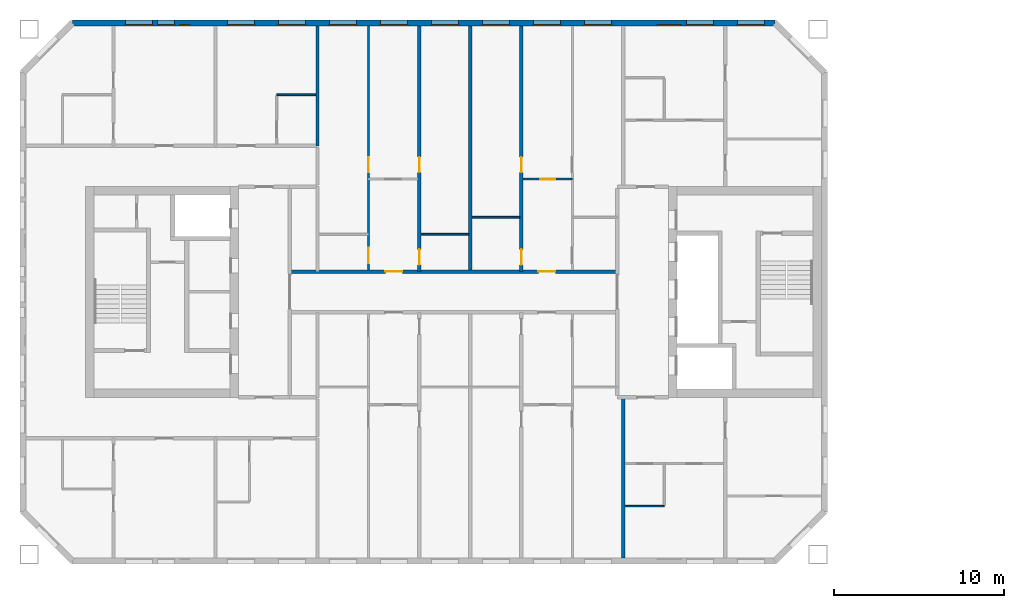
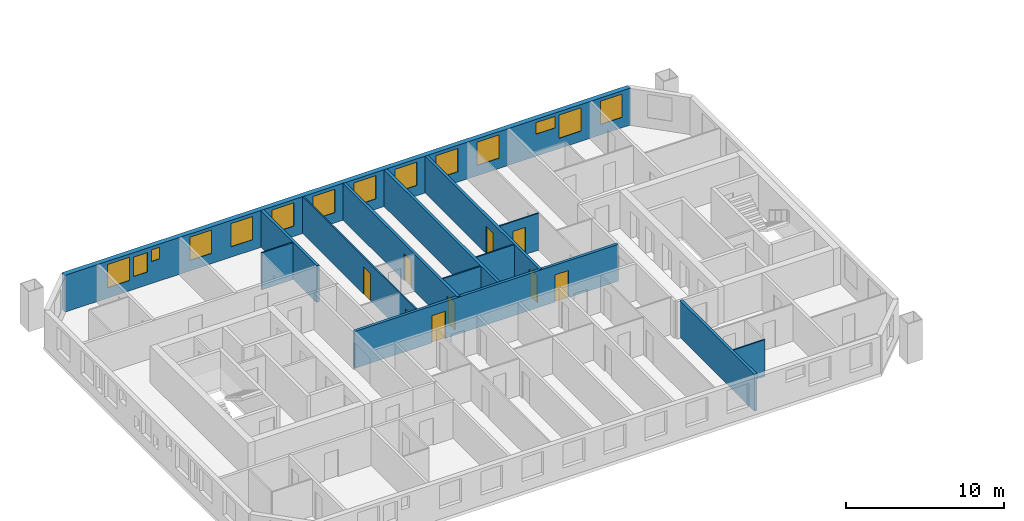
# One storey, part 5 of 15: 14 windows, 13 walls, 9 doors, 23 openings.
"""IFC4 building model written with IfcOpenShell, lengths in metres."""

from ifc_helpers import new_model, si_unit, direction, frame, frame_2d, origin, place, context, subcontext, project, spatial, rectangle, extrude, material, layer, layer_set, type_object, element, fill, save


model = new_model("IFC4")

# Units and contexts
model_context = context("Model", 3, precision=1e-05, world=origin(), true_north=direction((0.0, 1.0)))
body_context = subcontext(model_context, "Body", "Model", "MODEL_VIEW")
ifc_project = project(units=[si_unit("LENGTHUNIT", "METRE"), si_unit("AREAUNIT", "SQUARE_METRE"), si_unit("VOLUMEUNIT", "CUBIC_METRE"), si_unit("PLANEANGLEUNIT", "RADIAN"), si_unit("MASSUNIT", "GRAM", prefix="KILO")], contexts=[model_context])

# Site, building, storey
site_placement = place(None, origin())
site = spatial("IfcSite", under=ifc_project, at=site_placement, CompositionType="ELEMENT")
building_placement = place(site_placement, origin())
building = spatial("IfcBuilding", under=site, at=building_placement, Name="Tuart Gate Housing", CompositionType="ELEMENT")
storey_placement = place(building_placement, frame((0.0, 0.0, 154.699951171875)))
storey = spatial("IfcBuildingStorey", under=building, at=storey_placement, Name="L43", CompositionType="ELEMENT", Elevation=154.699951171875)

# Wall, openings, windows
ifc_material_1 = material(Name="Brick", Category="masonry")
ifc_layer_1 = layer(ifc_material_1, 0.360107421875)
ifc_layer_set_1 = layer_set([ifc_layer_1], Name="Brick pier and spandrel wall 360")
wall_type_1 = type_object("IfcWallType", Name="Brick pier and spandrel wall 360", PredefinedType="STANDARD", material=ifc_layer_set_1)
wall_1_placement = place(storey_placement, frame((72.92529296875, 85.820068359375, 0.0), z_axis=(0.0, 0.0, 1.0), x_axis=(-1.0, 0.0, 0.0)))
wall_1 = element("IfcWall", 1, at=wall_1_placement, inside=storey, type_object=wall_type_1, Name="External wall A-N L43", PredefinedType="STANDARD", context=body_context, shape_type="SweptSolid", body=[
    extrude(rectangle(XDim=41.350830078125, YDim=0.360107421875, at=frame_2d((20.67529296875, 0.0))), origin(), (0.0, 0.0, 1.0), 2.85009765625),
])
opening_1_placement = place(wall_1_placement, frame((0.62548828125, 0.0, 0.800048828125)))
opening_1 = element("IfcOpeningElement", 2, at=opening_1_placement, cuts=wall_1, Name="Opening W1", PredefinedType="OPENING", context=body_context, shape_type="SweptSolid", body=[
    extrude(rectangle(XDim=1.60009765625, YDim=1.800048828125, at=frame_2d((0.800048828125, 0.89990234375))), frame((0.0, 0.18994140625, 0.0), z_axis=(0.0, -1.0, 0.0), x_axis=(1.0, 0.0, 0.0)), (0.0, 0.0, 1.0), 0.380126953125),
])
opening_2_placement = place(wall_1_placement, frame((3.62548828125, 0.0, 0.800048828125)))
opening_2 = element("IfcOpeningElement", 3, at=opening_2_placement, cuts=wall_1, Name="Opening W1", PredefinedType="OPENING", context=body_context, shape_type="SweptSolid", body=[
    extrude(rectangle(XDim=1.60009765625, YDim=1.800048828125, at=frame_2d((0.800048828125, 0.89990234375))), frame((0.0, 0.18994140625, 0.0), z_axis=(0.0, -1.0, 0.0), x_axis=(1.0, 0.0, 0.0)), (0.0, 0.0, 1.0), 0.380126953125),
])
opening_3_placement = place(wall_1_placement, frame((5.525390625, 0.0, 1.699951171875)))
opening_3 = element("IfcOpeningElement", 4, at=opening_3_placement, cuts=wall_1, Name="Opening W1S", PredefinedType="OPENING", context=body_context, shape_type="SweptSolid", body=[
    extrude(rectangle(XDim=1.39990234375, YDim=0.89990234375, at=frame_2d((0.699951171875, 0.449951171875))), frame((0.0, 0.18994140625, 0.0), z_axis=(0.0, -1.0, 0.0), x_axis=(1.0, 0.0, 0.0)), (0.0, 0.0, 1.0), 0.380126953125),
])
opening_4_placement = place(wall_1_placement, frame((9.62548828125, 0.0, 0.800048828125)))
opening_4 = element("IfcOpeningElement", 5, at=opening_4_placement, cuts=wall_1, Name="Opening W1", PredefinedType="OPENING", context=body_context, shape_type="SweptSolid", body=[
    extrude(rectangle(XDim=1.60009765625, YDim=1.800048828125, at=frame_2d((0.800048828125, 0.89990234375))), frame((0.0, 0.18994140625, 0.0), z_axis=(0.0, -1.0, 0.0), x_axis=(1.0, 0.0, 0.0)), (0.0, 0.0, 1.0), 0.380126953125),
])
opening_5_placement = place(wall_1_placement, frame((12.62548828125, 0.0, 0.800048828125)))
opening_5 = element("IfcOpeningElement", 6, at=opening_5_placement, cuts=wall_1, Name="Opening W1", PredefinedType="OPENING", context=body_context, shape_type="SweptSolid", body=[
    extrude(rectangle(XDim=1.60009765625, YDim=1.800048828125, at=frame_2d((0.800048828125, 0.89990234375))), frame((0.0, 0.18994140625, 0.0), z_axis=(0.0, -1.0, 0.0), x_axis=(1.0, 0.0, 0.0)), (0.0, 0.0, 1.0), 0.380126953125),
])
opening_6_placement = place(wall_1_placement, frame((15.62548828125, 0.0, 0.800048828125)))
opening_6 = element("IfcOpeningElement", 7, at=opening_6_placement, cuts=wall_1, Name="Opening W1", PredefinedType="OPENING", context=body_context, shape_type="SweptSolid", body=[
    extrude(rectangle(XDim=1.60009765625, YDim=1.800048828125, at=frame_2d((0.800048828125, 0.89990234375))), frame((0.0, 0.18994140625, 0.0), z_axis=(0.0, -1.0, 0.0), x_axis=(1.0, 0.0, 0.0)), (0.0, 0.0, 1.0), 0.380126953125),
])
opening_7_placement = place(wall_1_placement, frame((18.62548828125, 0.0, 0.800048828125)))
opening_7 = element("IfcOpeningElement", 8, at=opening_7_placement, cuts=wall_1, Name="Opening W1", PredefinedType="OPENING", context=body_context, shape_type="SweptSolid", body=[
    extrude(rectangle(XDim=1.60009765625, YDim=1.800048828125, at=frame_2d((0.800048828125, 0.89990234375))), frame((0.0, 0.18994140625, 0.0), z_axis=(0.0, -1.0, 0.0), x_axis=(1.0, 0.0, 0.0)), (0.0, 0.0, 1.0), 0.380126953125),
])
opening_8_placement = place(wall_1_placement, frame((21.62548828125, 0.0, 0.800048828125)))
opening_8 = element("IfcOpeningElement", 9, at=opening_8_placement, cuts=wall_1, Name="Opening W1", PredefinedType="OPENING", context=body_context, shape_type="SweptSolid", body=[
    extrude(rectangle(XDim=1.60009765625, YDim=1.800048828125, at=frame_2d((0.800048828125, 0.89990234375))), frame((0.0, 0.18994140625, 0.0), z_axis=(0.0, -1.0, 0.0), x_axis=(1.0, 0.0, 0.0)), (0.0, 0.0, 1.0), 0.380126953125),
])
opening_9_placement = place(wall_1_placement, frame((24.62548828125, 0.0, 0.800048828125)))
opening_9 = element("IfcOpeningElement", 10, at=opening_9_placement, cuts=wall_1, Name="Opening W1", PredefinedType="OPENING", context=body_context, shape_type="SweptSolid", body=[
    extrude(rectangle(XDim=1.60009765625, YDim=1.800048828125, at=frame_2d((0.800048828125, 0.89990234375))), frame((0.0, 0.18994140625, 0.0), z_axis=(0.0, -1.0, 0.0), x_axis=(1.0, 0.0, 0.0)), (0.0, 0.0, 1.0), 0.380126953125),
])
opening_10_placement = place(wall_1_placement, frame((27.62548828125, 0.0, 0.800048828125)))
opening_10 = element("IfcOpeningElement", 11, at=opening_10_placement, cuts=wall_1, Name="Opening W1", PredefinedType="OPENING", context=body_context, shape_type="SweptSolid", body=[
    extrude(rectangle(XDim=1.60009765625, YDim=1.800048828125, at=frame_2d((0.800048828125, 0.89990234375))), frame((0.0, 0.18994140625, 0.0), z_axis=(0.0, -1.0, 0.0), x_axis=(1.0, 0.0, 0.0)), (0.0, 0.0, 1.0), 0.380126953125),
])
opening_11_placement = place(wall_1_placement, frame((30.62548828125, 0.0, 0.800048828125)))
opening_11 = element("IfcOpeningElement", 12, at=opening_11_placement, cuts=wall_1, Name="Opening W1", PredefinedType="OPENING", context=body_context, shape_type="SweptSolid", body=[
    extrude(rectangle(XDim=1.60009765625, YDim=1.800048828125, at=frame_2d((0.800048828125, 0.89990234375))), frame((0.0, 0.18994140625, 0.0), z_axis=(0.0, -1.0, 0.0), x_axis=(1.0, 0.0, 0.0)), (0.0, 0.0, 1.0), 0.380126953125),
])
opening_12_placement = place(wall_1_placement, frame((34.42529296875, 0.0, 1.699951171875)))
opening_12 = element("IfcOpeningElement", 13, at=opening_12_placement, cuts=wall_1, Name="Opening W1W", PredefinedType="OPENING", context=body_context, shape_type="SweptSolid", body=[
    extrude(rectangle(XDim=0.60009765625, YDim=0.89990234375, at=frame_2d((0.300048828125, 0.449951171875))), frame((0.0, 0.18994140625, 0.0), z_axis=(0.0, -1.0, 0.0), x_axis=(1.0, 0.0, 0.0)), (0.0, 0.0, 1.0), 0.380126953125),
])
opening_13_placement = place(wall_1_placement, frame((36.62548828125, 0.0, 0.800048828125)))
opening_13 = element("IfcOpeningElement", 14, at=opening_13_placement, cuts=wall_1, Name="Opening W1", PredefinedType="OPENING", context=body_context, shape_type="SweptSolid", body=[
    extrude(rectangle(XDim=1.60009765625, YDim=1.800048828125, at=frame_2d((0.800048828125, 0.89990234375))), frame((0.0, 0.18994140625, 0.0), z_axis=(0.0, -1.0, 0.0), x_axis=(1.0, 0.0, 0.0)), (0.0, 0.0, 1.0), 0.380126953125),
])
opening_14_placement = place(wall_1_placement, frame((35.325439453125, 0.0, 1.0)))
opening_14 = element("IfcOpeningElement", 15, at=opening_14_placement, cuts=wall_1, Name="Opening W1I", PredefinedType="OPENING", context=body_context, shape_type="SweptSolid", body=[
    extrude(rectangle(XDim=1.0, YDim=1.5, at=frame_2d((0.5, 0.75))), frame((0.0, 0.18994140625, 0.0), z_axis=(0.0, -1.0, 0.0), x_axis=(1.0, 0.0, 0.0)), (0.0, 0.0, 1.0), 0.380126953125),
])
ifc_material_2 = material(Name="Aluminium frame with clear glass", Category="aluminium")
window_type_1 = type_object("IfcWindowType", Name="Punched window 1000 x 1500", PartitioningType="SINGLE_PANEL", PredefinedType="WINDOW", material=ifc_material_2)
window_1_placement = place(opening_14_placement, origin())
window_1 = element("IfcWindow", 16, at=window_1_placement, inside=storey, type_object=window_type_1, Name="Window W1I", OverallHeight=1.5, OverallWidth=1.0, PartitioningType="SINGLE_PANEL", PredefinedType="WINDOW", context=body_context, shape_type="SweptSolid", body=[
    extrude(rectangle(XDim=1.0, YDim=1.5, at=frame_2d((0.5, 0.75))), frame((0.0, 0.150146484375, 0.0), z_axis=(0.0, -1.0, 0.0), x_axis=(1.0, 0.0, 0.0)), (0.0, 0.0, 1.0), 0.06005859375),
])
fill(opening_14, window_1)
ifc_material_3 = material(Name="Aluminium frame with clear glass", Category="aluminium")
window_type_2 = type_object("IfcWindowType", Name="Punched window 1400 x 900", PartitioningType="SINGLE_PANEL", PredefinedType="WINDOW", material=ifc_material_3)
window_2_placement = place(opening_3_placement, origin())
window_2 = element("IfcWindow", 17, at=window_2_placement, inside=storey, type_object=window_type_2, Name="Window W1S", OverallHeight=0.89990234375, OverallWidth=1.39990234375, PartitioningType="SINGLE_PANEL", PredefinedType="WINDOW", context=body_context, shape_type="SweptSolid", body=[
    extrude(rectangle(XDim=1.39990234375, YDim=0.89990234375, at=frame_2d((0.699951171875, 0.449951171875))), frame((0.0, 0.150146484375, 0.0), z_axis=(0.0, -1.0, 0.0), x_axis=(1.0, 0.0, 0.0)), (0.0, 0.0, 1.0), 0.06005859375),
])
fill(opening_3, window_2)
ifc_material_4 = material(Name="Aluminium frame with clear glass", Category="aluminium")
window_type_3 = type_object("IfcWindowType", Name="Punched window 1600 x 1800", PartitioningType="SINGLE_PANEL", PredefinedType="WINDOW", material=ifc_material_4)
window_3_placement = place(opening_1_placement, origin())
window_3 = element("IfcWindow", 18, at=window_3_placement, inside=storey, type_object=window_type_3, Name="Window W1", OverallHeight=1.800048828125, OverallWidth=1.60009765625, PartitioningType="SINGLE_PANEL", PredefinedType="WINDOW", context=body_context, shape_type="SweptSolid", body=[
    extrude(rectangle(XDim=1.60009765625, YDim=1.800048828125, at=frame_2d((0.800048828125, 0.89990234375))), frame((0.0, 0.150146484375, 0.0), z_axis=(0.0, -1.0, 0.0), x_axis=(1.0, 0.0, 0.0)), (0.0, 0.0, 1.0), 0.06005859375),
])
fill(opening_1, window_3)
window_4_placement = place(opening_2_placement, origin())
window_4 = element("IfcWindow", 19, at=window_4_placement, inside=storey, type_object=window_type_3, Name="Window W1", OverallHeight=1.800048828125, OverallWidth=1.60009765625, PartitioningType="SINGLE_PANEL", PredefinedType="WINDOW", context=body_context, shape_type="SweptSolid", body=[
    extrude(rectangle(XDim=1.60009765625, YDim=1.800048828125, at=frame_2d((0.800048828125, 0.89990234375))), frame((0.0, 0.150146484375, 0.0), z_axis=(0.0, -1.0, 0.0), x_axis=(1.0, 0.0, 0.0)), (0.0, 0.0, 1.0), 0.06005859375),
])
fill(opening_2, window_4)
window_5_placement = place(opening_4_placement, origin())
window_5 = element("IfcWindow", 20, at=window_5_placement, inside=storey, type_object=window_type_3, Name="Window W1", OverallHeight=1.800048828125, OverallWidth=1.60009765625, PartitioningType="SINGLE_PANEL", PredefinedType="WINDOW", context=body_context, shape_type="SweptSolid", body=[
    extrude(rectangle(XDim=1.60009765625, YDim=1.800048828125, at=frame_2d((0.800048828125, 0.89990234375))), frame((0.0, 0.150146484375, 0.0), z_axis=(0.0, -1.0, 0.0), x_axis=(1.0, 0.0, 0.0)), (0.0, 0.0, 1.0), 0.06005859375),
])
fill(opening_4, window_5)
window_6_placement = place(opening_5_placement, origin())
window_6 = element("IfcWindow", 21, at=window_6_placement, inside=storey, type_object=window_type_3, Name="Window W1", OverallHeight=1.800048828125, OverallWidth=1.60009765625, PartitioningType="SINGLE_PANEL", PredefinedType="WINDOW", context=body_context, shape_type="SweptSolid", body=[
    extrude(rectangle(XDim=1.60009765625, YDim=1.800048828125, at=frame_2d((0.800048828125, 0.89990234375))), frame((0.0, 0.150146484375, 0.0), z_axis=(0.0, -1.0, 0.0), x_axis=(1.0, 0.0, 0.0)), (0.0, 0.0, 1.0), 0.06005859375),
])
fill(opening_5, window_6)
window_7_placement = place(opening_6_placement, origin())
window_7 = element("IfcWindow", 22, at=window_7_placement, inside=storey, type_object=window_type_3, Name="Window W1", OverallHeight=1.800048828125, OverallWidth=1.60009765625, PartitioningType="SINGLE_PANEL", PredefinedType="WINDOW", context=body_context, shape_type="SweptSolid", body=[
    extrude(rectangle(XDim=1.60009765625, YDim=1.800048828125, at=frame_2d((0.800048828125, 0.89990234375))), frame((0.0, 0.150146484375, 0.0), z_axis=(0.0, -1.0, 0.0), x_axis=(1.0, 0.0, 0.0)), (0.0, 0.0, 1.0), 0.06005859375),
])
fill(opening_6, window_7)
window_8_placement = place(opening_7_placement, origin())
window_8 = element("IfcWindow", 23, at=window_8_placement, inside=storey, type_object=window_type_3, Name="Window W1", OverallHeight=1.800048828125, OverallWidth=1.60009765625, PartitioningType="SINGLE_PANEL", PredefinedType="WINDOW", context=body_context, shape_type="SweptSolid", body=[
    extrude(rectangle(XDim=1.60009765625, YDim=1.800048828125, at=frame_2d((0.800048828125, 0.89990234375))), frame((0.0, 0.150146484375, 0.0), z_axis=(0.0, -1.0, 0.0), x_axis=(1.0, 0.0, 0.0)), (0.0, 0.0, 1.0), 0.06005859375),
])
fill(opening_7, window_8)
window_9_placement = place(opening_8_placement, origin())
window_9 = element("IfcWindow", 24, at=window_9_placement, inside=storey, type_object=window_type_3, Name="Window W1", OverallHeight=1.800048828125, OverallWidth=1.60009765625, PartitioningType="SINGLE_PANEL", PredefinedType="WINDOW", context=body_context, shape_type="SweptSolid", body=[
    extrude(rectangle(XDim=1.60009765625, YDim=1.800048828125, at=frame_2d((0.800048828125, 0.89990234375))), frame((0.0, 0.150146484375, 0.0), z_axis=(0.0, -1.0, 0.0), x_axis=(1.0, 0.0, 0.0)), (0.0, 0.0, 1.0), 0.06005859375),
])
fill(opening_8, window_9)
window_10_placement = place(opening_9_placement, origin())
window_10 = element("IfcWindow", 25, at=window_10_placement, inside=storey, type_object=window_type_3, Name="Window W1", OverallHeight=1.800048828125, OverallWidth=1.60009765625, PartitioningType="SINGLE_PANEL", PredefinedType="WINDOW", context=body_context, shape_type="SweptSolid", body=[
    extrude(rectangle(XDim=1.60009765625, YDim=1.800048828125, at=frame_2d((0.800048828125, 0.89990234375))), frame((0.0, 0.150146484375, 0.0), z_axis=(0.0, -1.0, 0.0), x_axis=(1.0, 0.0, 0.0)), (0.0, 0.0, 1.0), 0.06005859375),
])
fill(opening_9, window_10)
window_11_placement = place(opening_10_placement, origin())
window_11 = element("IfcWindow", 26, at=window_11_placement, inside=storey, type_object=window_type_3, Name="Window W1", OverallHeight=1.800048828125, OverallWidth=1.60009765625, PartitioningType="SINGLE_PANEL", PredefinedType="WINDOW", context=body_context, shape_type="SweptSolid", body=[
    extrude(rectangle(XDim=1.60009765625, YDim=1.800048828125, at=frame_2d((0.800048828125, 0.89990234375))), frame((0.0, 0.150146484375, 0.0), z_axis=(0.0, -1.0, 0.0), x_axis=(1.0, 0.0, 0.0)), (0.0, 0.0, 1.0), 0.06005859375),
])
fill(opening_10, window_11)
window_12_placement = place(opening_11_placement, origin())
window_12 = element("IfcWindow", 27, at=window_12_placement, inside=storey, type_object=window_type_3, Name="Window W1", OverallHeight=1.800048828125, OverallWidth=1.60009765625, PartitioningType="SINGLE_PANEL", PredefinedType="WINDOW", context=body_context, shape_type="SweptSolid", body=[
    extrude(rectangle(XDim=1.60009765625, YDim=1.800048828125, at=frame_2d((0.800048828125, 0.89990234375))), frame((0.0, 0.150146484375, 0.0), z_axis=(0.0, -1.0, 0.0), x_axis=(1.0, 0.0, 0.0)), (0.0, 0.0, 1.0), 0.06005859375),
])
fill(opening_11, window_12)
window_13_placement = place(opening_13_placement, origin())
window_13 = element("IfcWindow", 28, at=window_13_placement, inside=storey, type_object=window_type_3, Name="Window W1", OverallHeight=1.800048828125, OverallWidth=1.60009765625, PartitioningType="SINGLE_PANEL", PredefinedType="WINDOW", context=body_context, shape_type="SweptSolid", body=[
    extrude(rectangle(XDim=1.60009765625, YDim=1.800048828125, at=frame_2d((0.800048828125, 0.89990234375))), frame((0.0, 0.150146484375, 0.0), z_axis=(0.0, -1.0, 0.0), x_axis=(1.0, 0.0, 0.0)), (0.0, 0.0, 1.0), 0.06005859375),
])
fill(opening_13, window_13)
ifc_material_5 = material(Name="Aluminium frame with clear glass", Category="aluminium")
window_type_4 = type_object("IfcWindowType", Name="Punched window 600 x 900", PartitioningType="SINGLE_PANEL", PredefinedType="WINDOW", material=ifc_material_5)
window_14_placement = place(opening_12_placement, origin())
window_14 = element("IfcWindow", 29, at=window_14_placement, inside=storey, type_object=window_type_4, Name="Window W1W", OverallHeight=0.89990234375, OverallWidth=0.60009765625, PartitioningType="SINGLE_PANEL", PredefinedType="WINDOW", context=body_context, shape_type="SweptSolid", body=[
    extrude(rectangle(XDim=0.60009765625, YDim=0.89990234375, at=frame_2d((0.300048828125, 0.449951171875))), frame((0.0, 0.150146484375, 0.0), z_axis=(0.0, -1.0, 0.0), x_axis=(1.0, 0.0, 0.0)), (0.0, 0.0, 1.0), 0.06005859375),
])
fill(opening_12, window_14)

# Wall, openings, doors
ifc_material_6 = material(Name="Concrete masonry 15 MPa", Category="masonry")
ifc_layer_2 = layer(ifc_material_6, 0.199951171875)
ifc_layer_set_2 = layer_set([ifc_layer_2], Name="Corridor wall masonry 200")
wall_type_2 = type_object("IfcWallType", Name="Corridor wall masonry 200", PredefinedType="PARTITIONING", material=ifc_layer_set_2)
wall_2_placement = place(storey_placement, frame((44.360107421875, 71.199951171875, 0.0), z_axis=(0.0, 0.0, 1.0), x_axis=(1.0, 0.0, 0.0)))
wall_2 = element("IfcWall", 30, at=wall_2_placement, inside=storey, type_object=wall_type_2, Name="Corridor wall masonry 200", PredefinedType="PARTITIONING", context=body_context, shape_type="SweptSolid", body=[
    extrude(rectangle(XDim=19.27978515625, YDim=0.199951171875, at=frame_2d((9.639892578125, 0.0))), origin(), (0.0, 0.0, 1.0), 2.85009765625),
])
opening_15_placement = place(wall_2_placement, frame((14.639892578125, 0.0, 0.0)))
opening_15 = element("IfcOpeningElement", 31, at=opening_15_placement, cuts=wall_2, Name="Opening D1540", PredefinedType="OPENING", context=body_context, shape_type="SweptSolid", body=[
    extrude(rectangle(XDim=1.0, YDim=2.10009765625, at=frame_2d((0.5, 1.050048828125))), frame((0.0, 0.10986328125, 0.0), z_axis=(0.0, -1.0, 0.0), x_axis=(1.0, 0.0, 0.0)), (0.0, 0.0, 1.0), 0.219970703125),
])
opening_16_placement = place(wall_2_placement, frame((5.639892578125, 0.0, 0.0)))
opening_16 = element("IfcOpeningElement", 32, at=opening_16_placement, cuts=wall_2, Name="Opening D1541", PredefinedType="OPENING", context=body_context, shape_type="SweptSolid", body=[
    extrude(rectangle(XDim=1.0, YDim=2.10009765625, at=frame_2d((0.5, 1.050048828125))), frame((0.0, 0.10986328125, 0.0), z_axis=(0.0, -1.0, 0.0), x_axis=(1.0, 0.0, 0.0)), (0.0, 0.0, 1.0), 0.219970703125),
])
ifc_material_7 = material(Name="Timber door leaf in steel frame", Category="steel")
door_type_1 = type_object("IfcDoorType", Name="Flat entrance door 1000", OperationType="SINGLE_SWING_LEFT", PredefinedType="DOOR", material=ifc_material_7)
door_1_placement = place(opening_15_placement, origin())
door_1 = element("IfcDoor", 33, at=door_1_placement, inside=storey, type_object=door_type_1, Name="Flat entrance door", OperationType="SINGLE_SWING_LEFT", OverallHeight=2.10009765625, OverallWidth=1.0, PredefinedType="DOOR", context=body_context, shape_type="SweptSolid", body=[
    extrude(rectangle(XDim=1.0, YDim=2.10009765625, at=frame_2d((0.5, 1.050048828125))), frame((0.0, 0.02490234375, 0.0), z_axis=(0.0, -1.0, 0.0), x_axis=(1.0, 0.0, 0.0)), (0.0, 0.0, 1.0), 0.050048828125),
])
fill(opening_15, door_1)
door_2_placement = place(opening_16_placement, origin())
door_2 = element("IfcDoor", 34, at=door_2_placement, inside=storey, type_object=door_type_1, Name="Flat entrance door", OperationType="SINGLE_SWING_LEFT", OverallHeight=2.10009765625, OverallWidth=1.0, PredefinedType="DOOR", context=body_context, shape_type="SweptSolid", body=[
    extrude(rectangle(XDim=1.0, YDim=2.10009765625, at=frame_2d((0.5, 1.050048828125))), frame((0.0, 0.02490234375, 0.0), z_axis=(0.0, -1.0, 0.0), x_axis=(1.0, 0.0, 0.0)), (0.0, 0.0, 1.0), 0.050048828125),
])
fill(opening_16, door_2)

# Walls
ifc_material_8 = material(Name="Gypsum board on steel studs", Category="steel")
ifc_layer_3 = layer(ifc_material_8, 0.10009765625)
ifc_layer_set_3 = layer_set([ifc_layer_3], Name="Partition 100")
wall_type_3 = type_object("IfcWallType", Name="Partition 100", PredefinedType="PARTITIONING", material=ifc_layer_set_3)
wall_3_placement = place(storey_placement, frame((64.10009765625, 57.39990234375, 0.0), z_axis=(0.0, 0.0, 1.0), x_axis=(1.0, 0.0, 0.0)))
element("IfcWall", 35, at=wall_3_placement, inside=storey, type_object=wall_type_3, Name="Partition 100", PredefinedType="PARTITIONING", context=body_context, shape_type="SweptSolid", body=[
    extrude(rectangle(XDim=2.2998046875, YDim=0.10009765625, at=frame_2d((1.14990234375, 0.0))), origin(), (0.0, 0.0, 1.0), 2.85009765625),
])
for number, where, z_axis, x_axis, name in (
    (36, (52.10009765625, 73.39990234375, 0.0), (0.0, 0.0, 1.0), (1.0, 0.0, 0.0), "Partition 100"),
    (37, (55.10009765625, 74.39990234375, 0.0), (0.0, 0.0, 1.0), (1.0, 0.0, 0.0), "Partition 100"),
):
    element("IfcWall", number, at=place(storey_placement, frame(where, z_axis=z_axis, x_axis=x_axis)), inside=storey, type_object=wall_type_3, Name=name, PredefinedType="PARTITIONING", context=body_context, shape_type="SweptSolid", body=[
        extrude(rectangle(XDim=2.7998046875, YDim=0.10009765625, at=frame_2d((1.39990234375, 0.0))), origin(), (0.0, 0.0, 1.0), 2.85009765625),
    ])

# Wall, opening, door
wall_4_placement = place(storey_placement, frame((58.10009765625, 76.639892578125, 0.0), z_axis=(0.0, 0.0, 1.0), x_axis=(1.0, 0.0, 0.0)))
wall_4 = element("IfcWall", 38, at=wall_4_placement, inside=storey, type_object=wall_type_3, Name="Partition 100", PredefinedType="PARTITIONING", context=body_context, shape_type="SweptSolid", body=[
    extrude(rectangle(XDim=2.89990234375, YDim=0.10009765625, at=frame_2d((1.449951171875, 0.0))), origin(), (0.0, 0.0, 1.0), 2.85009765625),
])
opening_17_placement = place(wall_4_placement, frame((1.0, 0.0, 0.0)))
opening_17 = element("IfcOpeningElement", 39, at=opening_17_placement, cuts=wall_4, Name="Opening D1534", PredefinedType="OPENING", context=body_context, shape_type="SweptSolid", body=[
    extrude(rectangle(XDim=0.89990234375, YDim=2.10009765625, at=frame_2d((0.449951171875, 1.050048828125))), frame((0.0, 0.06005859375, 0.0), z_axis=(0.0, -1.0, 0.0), x_axis=(1.0, 0.0, 0.0)), (0.0, 0.0, 1.0), 0.1201171875),
])
ifc_material_9 = material(Name="Timber door leaf in steel frame", Category="steel")
door_type_2 = type_object("IfcDoorType", Name="Internal door 900", OperationType="SINGLE_SWING_LEFT", PredefinedType="DOOR", material=ifc_material_9)
door_3_placement = place(opening_17_placement, frame((0.89990234375, 0.0, 0.0), z_axis=(0.0, 0.0, 1.0), x_axis=(-1.0, 0.0, 0.0)))
door_3 = element("IfcDoor", 40, at=door_3_placement, inside=storey, type_object=door_type_2, Name="Internal door", OperationType="SINGLE_SWING_LEFT", OverallHeight=2.10009765625, OverallWidth=0.89990234375, PredefinedType="DOOR", context=body_context, shape_type="SweptSolid", body=[
    extrude(rectangle(XDim=0.89990234375, YDim=2.10009765625, at=frame_2d((0.449951171875, 1.050048828125))), frame((0.0, 0.025146484375, 0.0), z_axis=(0.0, -1.0, 0.0), x_axis=(1.0, 0.0, 0.0)), (0.0, 0.0, 1.0), 0.050048828125),
])
fill(opening_17, door_3)

# Wall
wall_5_placement = place(storey_placement, frame((43.60009765625, 81.60009765625, 0.0), z_axis=(0.0, 0.0, 1.0), x_axis=(1.0, 0.0, 0.0)))
element("IfcWall", 41, at=wall_5_placement, inside=storey, type_object=wall_type_3, Name="Partition 100", PredefinedType="PARTITIONING", context=body_context, shape_type="SweptSolid", body=[
    extrude(rectangle(XDim=2.2998046875, YDim=0.10009765625, at=frame_2d((1.14990234375, 0.0))), origin(), (0.0, 0.0, 1.0), 2.85009765625),
])

# Wall, openings, doors
wall_6_placement = place(storey_placement, frame((49.0, 71.300048828125, 0.0), z_axis=(0.0, 0.0, 1.0), x_axis=(0.0, 1.0, 0.0)))
wall_6 = element("IfcWall", 42, at=wall_6_placement, inside=storey, type_object=wall_type_3, Name="Partition 100", PredefinedType="PARTITIONING", context=body_context, shape_type="SweptSolid", body=[
    extrude(rectangle(XDim=14.33984375, YDim=0.10009765625, at=frame_2d((7.169921875, 0.0))), origin(), (0.0, 0.0, 1.0), 2.85009765625),
])
opening_18_placement = place(wall_6_placement, frame((5.739990234375, 0.0, 0.0)))
opening_18 = element("IfcOpeningElement", 43, at=opening_18_placement, cuts=wall_6, Name="Opening D1526", PredefinedType="OPENING", context=body_context, shape_type="SweptSolid", body=[
    extrude(rectangle(XDim=0.89990234375, YDim=2.10009765625, at=frame_2d((0.449951171875, 1.050048828125))), frame((0.0, 0.06005859375, 0.0), z_axis=(0.0, -1.0, 0.0), x_axis=(1.0, 0.0, 0.0)), (0.0, 0.0, 1.0), 0.1201171875),
])
opening_19_placement = place(wall_6_placement, frame((0.39990234375, 0.0, 0.0)))
opening_19 = element("IfcOpeningElement", 44, at=opening_19_placement, cuts=wall_6, Name="Opening D1525", PredefinedType="OPENING", context=body_context, shape_type="SweptSolid", body=[
    extrude(rectangle(XDim=0.89990234375, YDim=2.10009765625, at=frame_2d((0.449951171875, 1.050048828125))), frame((0.0, 0.06005859375, 0.0), z_axis=(0.0, -1.0, 0.0), x_axis=(1.0, 0.0, 0.0)), (0.0, 0.0, 1.0), 0.1201171875),
])
ifc_material_10 = material(Name="Timber door leaf in steel frame", Category="steel")
door_type_3 = type_object("IfcDoorType", Name="Bathroom door 900", OperationType="SINGLE_SWING_LEFT", PredefinedType="DOOR", material=ifc_material_10)
door_4_placement = place(opening_19_placement, origin())
door_4 = element("IfcDoor", 45, at=door_4_placement, inside=storey, type_object=door_type_3, Name="Bathroom door", OperationType="SINGLE_SWING_LEFT", OverallHeight=2.10009765625, OverallWidth=0.89990234375, PredefinedType="DOOR", context=body_context, shape_type="SweptSolid", body=[
    extrude(rectangle(XDim=0.89990234375, YDim=2.10009765625, at=frame_2d((0.449951171875, 1.050048828125))), frame((0.0, 0.02490234375, 0.0), z_axis=(0.0, -1.0, 0.0), x_axis=(1.0, 0.0, 0.0)), (0.0, 0.0, 1.0), 0.050048828125),
])
fill(opening_19, door_4)
door_5_placement = place(opening_18_placement, origin())
door_5 = element("IfcDoor", 46, at=door_5_placement, inside=storey, type_object=door_type_2, Name="Internal door", OperationType="SINGLE_SWING_LEFT", OverallHeight=2.10009765625, OverallWidth=0.89990234375, PredefinedType="DOOR", context=body_context, shape_type="SweptSolid", body=[
    extrude(rectangle(XDim=0.89990234375, YDim=2.10009765625, at=frame_2d((0.449951171875, 1.050048828125))), frame((0.0, 0.02490234375, 0.0), z_axis=(0.0, -1.0, 0.0), x_axis=(1.0, 0.0, 0.0)), (0.0, 0.0, 1.0), 0.050048828125),
])
fill(opening_18, door_5)

# Wall
ifc_material_11 = material(Name="Concrete C40", Category="concrete")
ifc_layer_4 = layer(ifc_material_11, 0.199951171875)
ifc_layer_set_4 = layer_set([ifc_layer_4], Name="Party wall concrete C40 200")
wall_type_4 = type_object("IfcWallType", Name="Party wall concrete C40 200", PredefinedType="SOLIDWALL", material=ifc_layer_set_4)
wall_7_placement = place(storey_placement, frame((46.0, 78.60009765625, 0.0), z_axis=(0.0, 0.0, 1.0), x_axis=(0.0, 1.0, 0.0)))
element("IfcWall", 47, at=wall_7_placement, inside=storey, type_object=wall_type_4, Name="Party wall concrete C40 200", PredefinedType="SOLIDWALL", context=body_context, shape_type="SweptSolid", body=[
    extrude(rectangle(XDim=7.039794921875, YDim=0.199951171875, at=frame_2d((3.52001953125, 0.0))), origin(), (0.0, 0.0, 1.0), 2.85009765625),
])

# Wall, openings, doors
wall_8_placement = place(storey_placement, frame((52.0, 71.199951171875, 0.0), z_axis=(0.0, 0.0, 1.0), x_axis=(0.0, 1.0, 0.0)))
wall_8 = element("IfcWall", 48, at=wall_8_placement, inside=storey, type_object=wall_type_4, Name="Party wall concrete C40 200", PredefinedType="SOLIDWALL", context=body_context, shape_type="SweptSolid", body=[
    extrude(rectangle(XDim=14.43994140625, YDim=0.199951171875, at=frame_2d((7.219970703125, 0.0))), origin(), (0.0, 0.0, 1.0), 2.85009765625),
])
opening_20_placement = place(wall_8_placement, frame((5.840087890625, 0.0, 0.0)))
opening_20 = element("IfcOpeningElement", 49, at=opening_20_placement, cuts=wall_8, Name="Opening D1530", PredefinedType="OPENING", context=body_context, shape_type="SweptSolid", body=[
    extrude(rectangle(XDim=0.89990234375, YDim=2.10009765625, at=frame_2d((0.449951171875, 1.050048828125))), frame((0.0, 0.10986328125, 0.0), z_axis=(0.0, -1.0, 0.0), x_axis=(1.0, 0.0, 0.0)), (0.0, 0.0, 1.0), 0.219970703125),
])
opening_21_placement = place(wall_8_placement, frame((0.39990234375, 0.0, 0.0)))
opening_21 = element("IfcOpeningElement", 50, at=opening_21_placement, cuts=wall_8, Name="Opening D1529", PredefinedType="OPENING", context=body_context, shape_type="SweptSolid", body=[
    extrude(rectangle(XDim=0.89990234375, YDim=2.10009765625, at=frame_2d((0.449951171875, 1.050048828125))), frame((0.0, 0.10986328125, 0.0), z_axis=(0.0, -1.0, 0.0), x_axis=(1.0, 0.0, 0.0)), (0.0, 0.0, 1.0), 0.219970703125),
])
ifc_material_12 = material(Name="Timber door leaf in steel frame", Category="steel")
door_type_4 = type_object("IfcDoorType", Name="Bathroom door 900 RH", OperationType="SINGLE_SWING_RIGHT", PredefinedType="DOOR", material=ifc_material_12)
door_6_placement = place(opening_21_placement, frame((0.89990234375, 0.0, 0.0), z_axis=(0.0, 0.0, 1.0), x_axis=(-1.0, 0.0, 0.0)))
door_6 = element("IfcDoor", 51, at=door_6_placement, inside=storey, type_object=door_type_4, Name="Bathroom door", OperationType="SINGLE_SWING_RIGHT", OverallHeight=2.10009765625, OverallWidth=0.89990234375, PredefinedType="DOOR", context=body_context, shape_type="SweptSolid", body=[
    extrude(rectangle(XDim=0.89990234375, YDim=2.10009765625, at=frame_2d((0.449951171875, 1.050048828125))), frame((0.0, 0.025146484375, 0.0), z_axis=(0.0, -1.0, 0.0), x_axis=(1.0, 0.0, 0.0)), (0.0, 0.0, 1.0), 0.050048828125),
])
fill(opening_21, door_6)
ifc_material_13 = material(Name="Timber door leaf in steel frame", Category="steel")
door_type_5 = type_object("IfcDoorType", Name="Internal door 900 RH", OperationType="SINGLE_SWING_RIGHT", PredefinedType="DOOR", material=ifc_material_13)
door_7_placement = place(opening_20_placement, frame((0.89990234375, 0.0, 0.0), z_axis=(0.0, 0.0, 1.0), x_axis=(-1.0, 0.0, 0.0)))
door_7 = element("IfcDoor", 52, at=door_7_placement, inside=storey, type_object=door_type_5, Name="Internal door", OperationType="SINGLE_SWING_RIGHT", OverallHeight=2.10009765625, OverallWidth=0.89990234375, PredefinedType="DOOR", context=body_context, shape_type="SweptSolid", body=[
    extrude(rectangle(XDim=0.89990234375, YDim=2.10009765625, at=frame_2d((0.449951171875, 1.050048828125))), frame((0.0, 0.025146484375, 0.0), z_axis=(0.0, -1.0, 0.0), x_axis=(1.0, 0.0, 0.0)), (0.0, 0.0, 1.0), 0.050048828125),
])
fill(opening_20, door_7)

wall_9_placement = place(storey_placement, frame((58.0, 71.199951171875, 0.0), z_axis=(0.0, 0.0, 1.0), x_axis=(0.0, 1.0, 0.0)))
wall_9 = element("IfcWall", 53, at=wall_9_placement, inside=storey, type_object=wall_type_4, Name="Party wall concrete C40 200", PredefinedType="SOLIDWALL", context=body_context, shape_type="SweptSolid", body=[
    extrude(rectangle(XDim=14.43994140625, YDim=0.199951171875, at=frame_2d((7.219970703125, 0.0))), origin(), (0.0, 0.0, 1.0), 2.85009765625),
])
opening_22_placement = place(wall_9_placement, frame((5.840087890625, 0.0, 0.0)))
opening_22 = element("IfcOpeningElement", 54, at=opening_22_placement, cuts=wall_9, Name="Opening D1532", PredefinedType="OPENING", context=body_context, shape_type="SweptSolid", body=[
    extrude(rectangle(XDim=0.89990234375, YDim=2.10009765625, at=frame_2d((0.449951171875, 1.050048828125))), frame((0.0, 0.10986328125, 0.0), z_axis=(0.0, -1.0, 0.0), x_axis=(1.0, 0.0, 0.0)), (0.0, 0.0, 1.0), 0.219970703125),
])
opening_23_placement = place(wall_9_placement, frame((0.39990234375, 0.0, 0.0)))
opening_23 = element("IfcOpeningElement", 55, at=opening_23_placement, cuts=wall_9, Name="Opening D1531", PredefinedType="OPENING", context=body_context, shape_type="SweptSolid", body=[
    extrude(rectangle(XDim=0.89990234375, YDim=2.10009765625, at=frame_2d((0.449951171875, 1.050048828125))), frame((0.0, 0.10986328125, 0.0), z_axis=(0.0, -1.0, 0.0), x_axis=(1.0, 0.0, 0.0)), (0.0, 0.0, 1.0), 0.219970703125),
])
door_8_placement = place(opening_23_placement, origin())
door_8 = element("IfcDoor", 56, at=door_8_placement, inside=storey, type_object=door_type_3, Name="Bathroom door", OperationType="SINGLE_SWING_LEFT", OverallHeight=2.10009765625, OverallWidth=0.89990234375, PredefinedType="DOOR", context=body_context, shape_type="SweptSolid", body=[
    extrude(rectangle(XDim=0.89990234375, YDim=2.10009765625, at=frame_2d((0.449951171875, 1.050048828125))), frame((0.0, 0.02490234375, 0.0), z_axis=(0.0, -1.0, 0.0), x_axis=(1.0, 0.0, 0.0)), (0.0, 0.0, 1.0), 0.050048828125),
])
fill(opening_23, door_8)
door_9_placement = place(opening_22_placement, origin())
door_9 = element("IfcDoor", 57, at=door_9_placement, inside=storey, type_object=door_type_2, Name="Internal door", OperationType="SINGLE_SWING_LEFT", OverallHeight=2.10009765625, OverallWidth=0.89990234375, PredefinedType="DOOR", context=body_context, shape_type="SweptSolid", body=[
    extrude(rectangle(XDim=0.89990234375, YDim=2.10009765625, at=frame_2d((0.449951171875, 1.050048828125))), frame((0.0, 0.02490234375, 0.0), z_axis=(0.0, -1.0, 0.0), x_axis=(1.0, 0.0, 0.0)), (0.0, 0.0, 1.0), 0.050048828125),
])
fill(opening_22, door_9)

# Walls
wall_10_placement = place(storey_placement, frame((64.0, 54.360107421875, 0.0), z_axis=(0.0, 0.0, 1.0), x_axis=(0.0, 1.0, 0.0)))
element("IfcWall", 58, at=wall_10_placement, inside=storey, type_object=wall_type_4, Name="Party wall concrete C40 200", PredefinedType="SOLIDWALL", context=body_context, shape_type="SweptSolid", body=[
    extrude(rectangle(XDim=9.43994140625, YDim=0.199951171875, at=frame_2d((4.719970703125, 0.0))), origin(), (0.0, 0.0, 1.0), 2.85009765625),
])
ifc_material_14 = material(Name="Concrete masonry 15 MPa", Category="masonry")
ifc_layer_5 = layer(ifc_material_14, 0.199951171875)
ifc_layer_set_5 = layer_set([ifc_layer_5], Name="Party wall masonry 200")
wall_type_5 = type_object("IfcWallType", Name="Party wall masonry 200", PredefinedType="PARTITIONING", material=ifc_layer_set_5)
wall_11_placement = place(storey_placement, frame((55.0, 71.300048828125, 0.0), z_axis=(0.0, 0.0, 1.0), x_axis=(0.0, 1.0, 0.0)))
element("IfcWall", 59, at=wall_11_placement, inside=storey, type_object=wall_type_5, Name="Party wall masonry 200", PredefinedType="PARTITIONING", context=body_context, shape_type="SweptSolid", body=[
    extrude(rectangle(XDim=14.33984375, YDim=0.199951171875, at=frame_2d((7.169921875, 0.0))), origin(), (0.0, 0.0, 1.0), 2.85009765625),
])

save(model, "model.ifc")
